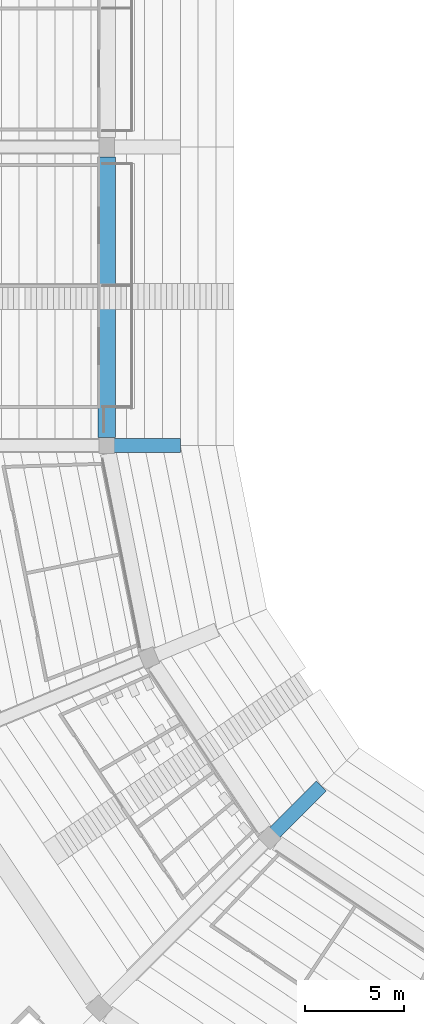
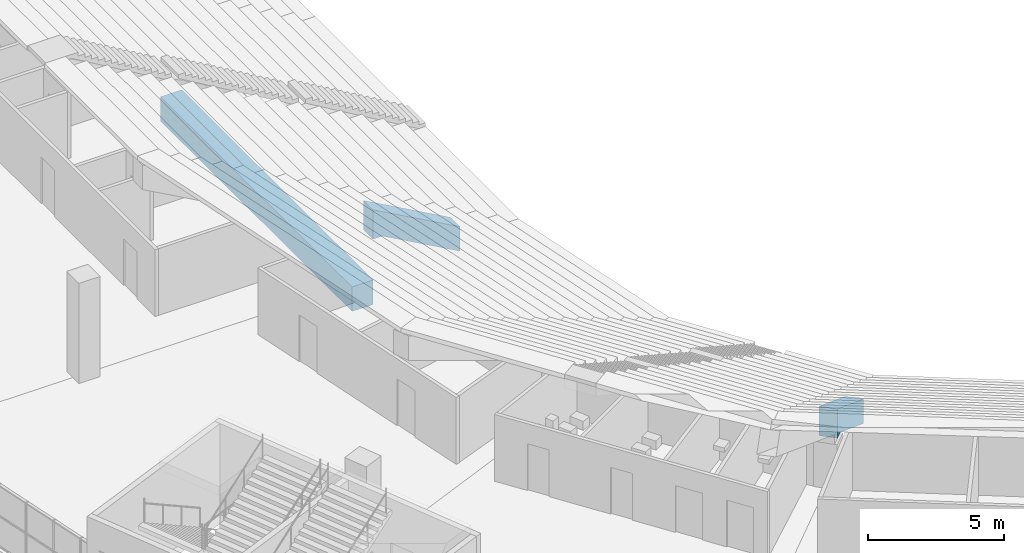
# One storey, part 11 of 249: 3 beams.
"""IFC4 building model written with IfcOpenShell, lengths in metres."""

from ifc_helpers import new_model, si_unit, direction, frame, origin, origin_2d, place, context, subcontext, project, spatial, polyline, rectangle, outline, extrude, material, material_profile, profile_set, type_object, element, save


model = new_model("IFC4")

# Units and contexts
model_context = context("Model", 3, precision=1e-05, world=origin(), true_north=direction((0.0, 1.0)))
body_context = subcontext(model_context, "Body", "Model", "MODEL_VIEW")
ifc_project = project(units=[si_unit("LENGTHUNIT", "METRE"), si_unit("AREAUNIT", "SQUARE_METRE"), si_unit("VOLUMEUNIT", "CUBIC_METRE"), si_unit("PLANEANGLEUNIT", "RADIAN"), si_unit("MASSUNIT", "GRAM", prefix="KILO")], contexts=[model_context])

# Site, building, storey
site_placement = place(None, origin())
site = spatial("IfcSite", under=ifc_project, at=site_placement, CompositionType="ELEMENT")
building_placement = place(site_placement, origin())
building = spatial("IfcBuilding", under=site, at=building_placement, Name="Ogive Plaza Stadium", CompositionType="ELEMENT")
storey_placement = place(building_placement, frame((0.0, 0.0, 13.5)))
storey = spatial("IfcBuildingStorey", under=building, at=storey_placement, Name="L03", CompositionType="ELEMENT", Elevation=13.5)

# Beams
ifc_material_1 = material(Name="Concrete C45/55 precast", Category="concrete")
ifc_material_profile_1 = material_profile(ifc_material_1, rectangle(XDim=0.699951171875, YDim=1.10009765625, at=origin_2d()), Name="RC 700x1100")
ifc_profile_set_1 = profile_set([ifc_material_profile_1], Name="Concrete C45/55 precast")
beam_type_1 = type_object("IfcBeamType", Name="Precast raker UT cantilever 700x1100", PredefinedType="USERDEFINED", material=ifc_profile_set_1)
for number, where, z_axis, x_axis, name in (
    (1, (-34.0, -52.5, -13.5), (0.0, 0.0, 1.0), (-0.707106781187, -0.707106781187, 0.0), "RAKER UT CANTILEVER R19"),
    (2, (-34.0, -52.5, -13.5), (0.0, 0.0, 1.0), (-1.0, 0.0, 0.0), "RAKER UT CANTILEVER R21"),
):
    element("IfcBeam", number, at=place(storey_placement, frame(where, z_axis=z_axis, x_axis=x_axis)), inside=storey, type_object=beam_type_1, Name=name, ObjectType="RAKER", PredefinedType="USERDEFINED", context=body_context, shape_type="SweptSolid", body=[
        extrude(outline(polyline([(24.199951171875, 13.699951171875), (27.5, 15.533203125), (27.89990234375, 15.533203125), (27.89990234375, 16.855712890625), (24.199951171875, 14.800048828125), (24.199951171875, 13.699951171875)])), frame((0.0, 0.35009765625, 0.0), z_axis=(0.0, -1.0, 0.0), x_axis=(1.0, 0.0, 0.0)), (0.0, 0.0, 1.0), 0.699951171875),
    ])
ifc_material_2 = material(Name="Concrete C40/50", Category="concrete")
ifc_material_profile_2 = material_profile(ifc_material_2, rectangle(XDim=0.89990234375, YDim=1.10009765625, at=origin_2d()), Name="RC 900x1100")
ifc_profile_set_2 = profile_set([ifc_material_profile_2], Name="Concrete C40/50")
beam_type_2 = type_object("IfcBeamType", Name="RC ring beam 900x1100", PredefinedType="BEAM", material=ifc_profile_set_2)
beam_placement = place(storey_placement, frame((-61.89990234375, -52.10009765625, -0.9599609375), z_axis=(0.0, 1.0, 0.0), x_axis=(-1.0, 0.0, 0.0)))
element("IfcBeam", 3, at=beam_placement, inside=storey, type_object=beam_type_2, Name="Ring beam F3 L03 B21", PredefinedType="BEAM", context=body_context, shape_type="SweptSolid", body=[
    extrude(rectangle(XDim=0.89990234375, YDim=1.10009765625, at=origin_2d()), origin(), (0.0, 0.0, 1.0), 14.10009765625),
])

save(model, "model.ifc")
